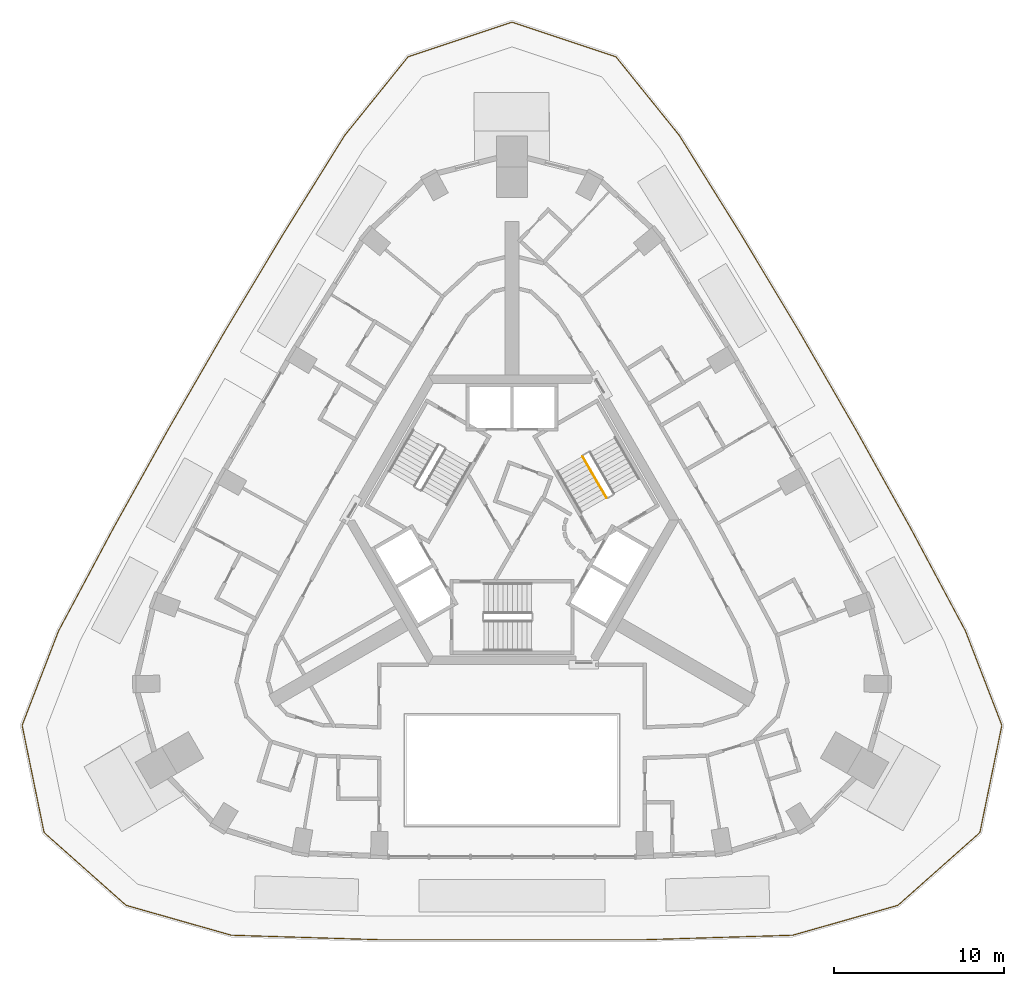
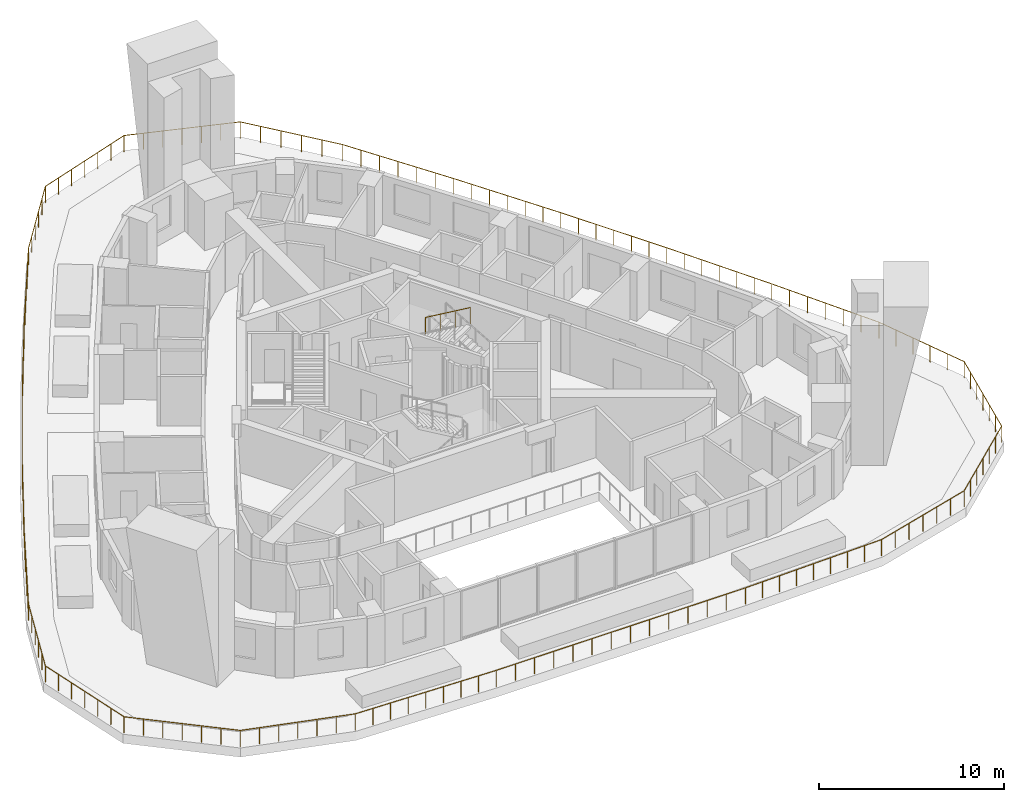
# One storey, part 11 of 12: 2 railings.
"""IFC4 building model written with IfcOpenShell, lengths in metres."""

from ifc_helpers import new_model, si_unit, direction, frame, origin, origin_2d, place, context, subcontext, project, spatial, circle, extrude, material, type_object, element, save


model = new_model("IFC4")

# Units and contexts
model_context = context("Model", 3, precision=1e-05, world=origin(), true_north=direction((0.0, 1.0)))
body_context = subcontext(model_context, "Body", "Model", "MODEL_VIEW")
ifc_project = project(units=[si_unit("LENGTHUNIT", "METRE"), si_unit("AREAUNIT", "SQUARE_METRE"), si_unit("VOLUMEUNIT", "CUBIC_METRE"), si_unit("PLANEANGLEUNIT", "RADIAN"), si_unit("MASSUNIT", "GRAM", prefix="KILO")], contexts=[model_context])

# Site, building, storey
site_placement = place(None, origin())
site = spatial("IfcSite", under=ifc_project, at=site_placement, CompositionType="ELEMENT")
building_placement = place(site_placement, origin())
building = spatial("IfcBuilding", under=site, at=building_placement, Name="Entoto Arch Interchange Tower", CompositionType="ELEMENT")
storey_placement = place(building_placement, frame((0.0, 0.0, 286.39990234375)))
storey = spatial("IfcBuildingStorey", under=building, at=storey_placement, Name="L66", CompositionType="ELEMENT", Elevation=286.39990234375)

# Railings
ifc_material = material(Name="Stainless steel 1.4301", Category="steel")
railing_type_1 = type_object("IfcRailingType", Name="GUARD 1100 STEEL AND GLASS", PredefinedType="GUARDRAIL", material=ifc_material)
railing_1_placement = place(storey_placement, frame((-16.4619140625, -21.8720703125, 0.0)))
element("IfcRailing", 1, at=railing_1_placement, inside=storey, type_object=railing_type_1, Name="Terrace guard L66", PredefinedType="GUARDRAIL", context=body_context, shape_type="SweptSolid", body=[
    extrude(circle(Radius=0.02392578125, at=origin_2d()), frame((0.0, 0.0, 1.076171875), z_axis=(-0.961948753348, 0.273229932352, 0.0), x_axis=(-0.273229932352, -0.961948753348, 0.0)), (0.0, 0.0, 1.0), 6.423583984375),
    extrude(circle(Radius=0.02392578125, at=origin_2d()), frame((-6.17919921875, 1.755126953125, 1.076171875), z_axis=(-0.747926553189, 0.663781493441, 0.0), x_axis=(-0.663781493441, -0.747926553189, 0.0)), (0.0, 0.0, 1.0), 6.429443359375),
    extrude(circle(Radius=0.02392578125, at=origin_2d()), frame((-10.988037109375, 6.02294921875, 1.076171875), z_axis=(-0.200813225881, 0.979629546467, 0.0), x_axis=(-0.979629546467, -0.200813225881, 0.0)), (0.0, 0.0, 1.0), 6.424072265625),
    extrude(circle(Radius=0.02392578125, at=origin_2d()), frame((-12.278076171875, 12.316162109375, 1.076171875), z_axis=(0.360142846946, 0.93289717, 0.0), x_axis=(-0.93289717, 0.360142846946, 0.0)), (0.0, 0.0, 1.0), 5.930908203125),
    extrude(circle(Radius=0.02392578125, at=origin_2d()), frame((-10.14208984375, 17.84912109375, 1.076171875), z_axis=(0.47078435637, 0.88224831527, 0.0), x_axis=(-0.88224831527, 0.47078435637, 0.0)), (0.0, 0.0, 1.0), 6.848388671875),
    extrude(circle(Radius=0.02392578125, at=origin_2d()), frame((-6.91796875, 23.89111328125, 1.076171875), z_axis=(0.48565856825, 0.874148588677, 0.0), x_axis=(-0.874148588677, 0.48565856825, 0.0)), (0.0, 0.0, 1.0), 6.628173828125),
    extrude(circle(Radius=0.02392578125, at=origin_2d()), frame((-3.698974609375, 29.68505859375, 1.076171875), z_axis=(0.499997729706, 0.866026714536, 0.0), x_axis=(-0.866026714536, 0.499997729706, 0.0)), (0.0, 0.0, 1.0), 6.6279296875),
    extrude(circle(Radius=0.02392578125, at=origin_2d()), frame((-0.385009765625, 35.425048828125, 1.076171875), z_axis=(0.51426283835, 0.857632632945, 0.0), x_axis=(-0.857632632945, 0.51426283835, 0.0)), (0.0, 0.0, 1.0), 6.628662109375),
    extrude(circle(Radius=0.02392578125, at=origin_2d()), frame((3.02392578125, 41.110107421875, 1.076171875), z_axis=(0.528735841424, 0.848786433677, 0.0), x_axis=(-0.848786433677, 0.528735841424, 0.0)), (0.0, 0.0, 1.0), 6.8486328125),
    extrude(circle(Radius=0.02392578125, at=origin_2d()), frame((6.64501953125, 46.923095703125, 1.076171875), z_axis=(0.627707393123, 0.778449374474, 0.0), x_axis=(-0.778449374474, 0.627707393123, 0.0)), (0.0, 0.0, 1.0), 5.930908203125),
    extrude(circle(Radius=0.02392578125, at=origin_2d()), frame((10.367919921875, 51.5400390625, 1.076171875), z_axis=(0.948744095, 0.316045316691, 0.0), x_axis=(-0.316045316691, 0.948744095, 0.0)), (0.0, 0.0, 1.0), 6.42333984375),
    extrude(circle(Radius=0.02392578125, at=origin_2d()), frame((16.4619140625, 53.570068359375, 1.076171875), z_axis=(0.948744095, -0.316045316691, 0.0), x_axis=(0.316045316691, 0.948744095, 0.0)), (0.0, 0.0, 1.0), 6.42333984375),
    extrude(circle(Radius=0.02392578125, at=origin_2d()), frame((22.555908203125, 51.5400390625, 1.076171875), z_axis=(0.627707393123, -0.778449374474, 0.0), x_axis=(0.778449374474, 0.627707393123, 0.0)), (0.0, 0.0, 1.0), 5.930908203125),
    extrude(circle(Radius=0.02392578125, at=origin_2d()), frame((26.27880859375, 46.923095703125, 1.076171875), z_axis=(0.528735841424, -0.848786433677, 0.0), x_axis=(0.848786433677, 0.528735841424, 0.0)), (0.0, 0.0, 1.0), 6.8486328125),
    extrude(circle(Radius=0.02392578125, at=origin_2d()), frame((29.89990234375, 41.110107421875, 1.076171875), z_axis=(0.51426283835, -0.857632632945, 0.0), x_axis=(0.857632632945, 0.51426283835, 0.0)), (0.0, 0.0, 1.0), 6.628662109375),
    extrude(circle(Radius=0.02392578125, at=origin_2d()), frame((33.308837890625, 35.425048828125, 1.076171875), z_axis=(0.499997729706, -0.866026714536, 0.0), x_axis=(0.866026714536, 0.499997729706, 0.0)), (0.0, 0.0, 1.0), 6.6279296875),
    extrude(circle(Radius=0.02392578125, at=origin_2d()), frame((36.622802734375, 29.68505859375, 1.076171875), z_axis=(0.48565856825, -0.874148588677, 0.0), x_axis=(0.874148588677, 0.48565856825, 0.0)), (0.0, 0.0, 1.0), 6.628173828125),
    extrude(circle(Radius=0.02392578125, at=origin_2d()), frame((39.841796875, 23.89111328125, 1.076171875), z_axis=(0.47078435637, -0.88224831527, 0.0), x_axis=(0.88224831527, 0.47078435637, 0.0)), (0.0, 0.0, 1.0), 6.848388671875),
    extrude(circle(Radius=0.02392578125, at=origin_2d()), frame((43.06591796875, 17.84912109375, 1.076171875), z_axis=(0.360142846946, -0.93289717, 0.0), x_axis=(0.93289717, 0.360142846946, 0.0)), (0.0, 0.0, 1.0), 5.930908203125),
    extrude(circle(Radius=0.02392578125, at=origin_2d()), frame((45.201904296875, 12.316162109375, 1.076171875), z_axis=(-0.200813225881, -0.979629546467, 0.0), x_axis=(0.979629546467, -0.200813225881, 0.0)), (0.0, 0.0, 1.0), 6.424072265625),
    extrude(circle(Radius=0.02392578125, at=origin_2d()), frame((43.911865234375, 6.02294921875, 1.076171875), z_axis=(-0.747926553189, -0.663781493441, 0.0), x_axis=(0.663781493441, -0.747926553189, 0.0)), (0.0, 0.0, 1.0), 6.429443359375),
    extrude(circle(Radius=0.02392578125, at=origin_2d()), frame((39.10302734375, 1.755126953125, 1.076171875), z_axis=(-0.961948753348, -0.273229932352, 0.0), x_axis=(0.273229932352, -0.961948753348, 0.0)), (0.0, 0.0, 1.0), 6.423583984375),
    extrude(circle(Radius=0.02392578125, at=origin_2d()), frame((32.923828125, 0.0, 1.076171875), z_axis=(-0.999543192514, -0.030222612381, 0.0), x_axis=(0.030222612381, -0.999543192514, 0.0)), (0.0, 0.0, 1.0), 8.667724609375),
    extrude(circle(Radius=0.02392578125, at=origin_2d()), frame((24.260009765625, -0.261962890625, 1.076171875), z_axis=(-1.0, 0.0, 0.0), x_axis=(0.0, -1.0, 0.0)), (0.0, 0.0, 1.0), 15.59619140625),
    extrude(circle(Radius=0.02392578125, at=origin_2d()), frame((8.663818359375, -0.261962890625, 1.076171875), z_axis=(-0.999543192514, 0.030222612381, 0.0), x_axis=(-0.030222612381, -0.999543192514, 0.0)), (0.0, 0.0, 1.0), 8.667724609375),
    extrude(circle(Radius=0.02099609375, at=origin_2d()), origin(), (0.0, 0.0, 1.0), 1.052001953125),
    extrude(circle(Radius=0.02099609375, at=origin_2d()), frame((-1.02978515625, 0.29248046875, 0.0)), (0.0, 0.0, 1.0), 1.052001953125),
    extrude(circle(Radius=0.02099609375, at=origin_2d()), frame((-2.059814453125, 0.5849609375, 0.0)), (0.0, 0.0, 1.0), 1.052001953125),
    extrude(circle(Radius=0.02099609375, at=origin_2d()), frame((-3.089599609375, 0.87744140625, 0.0)), (0.0, 0.0, 1.0), 1.052001953125),
    extrude(circle(Radius=0.02099609375, at=origin_2d()), frame((-4.119384765625, 1.170166015625, 0.0)), (0.0, 0.0, 1.0), 1.052001953125),
    extrude(circle(Radius=0.02099609375, at=origin_2d()), frame((-5.1494140625, 1.462646484375, 0.0)), (0.0, 0.0, 1.0), 1.052001953125),
    extrude(circle(Radius=0.02099609375, at=origin_2d()), frame((-6.17919921875, 1.755126953125, 0.0)), (0.0, 0.0, 1.0), 1.052001953125),
    extrude(circle(Radius=0.02099609375, at=origin_2d()), frame((-6.980712890625, 2.46630859375, 0.0)), (0.0, 0.0, 1.0), 1.052001953125),
    extrude(circle(Radius=0.02099609375, at=origin_2d()), frame((-7.7822265625, 3.177734375, 0.0)), (0.0, 0.0, 1.0), 1.052001953125),
    extrude(circle(Radius=0.02099609375, at=origin_2d()), frame((-8.58349609375, 3.88916015625, 0.0)), (0.0, 0.0, 1.0), 1.052001953125),
    extrude(circle(Radius=0.02099609375, at=origin_2d()), frame((-9.385009765625, 4.600341796875, 0.0)), (0.0, 0.0, 1.0), 1.052001953125),
    extrude(circle(Radius=0.02099609375, at=origin_2d()), frame((-10.1865234375, 5.3115234375, 0.0)), (0.0, 0.0, 1.0), 1.052001953125),
    extrude(circle(Radius=0.02099609375, at=origin_2d()), frame((-10.988037109375, 6.02294921875, 0.0)), (0.0, 0.0, 1.0), 1.052001953125),
    extrude(circle(Radius=0.02099609375, at=origin_2d()), frame((-11.203125, 7.07177734375, 0.0)), (0.0, 0.0, 1.0), 1.052001953125),
    extrude(circle(Radius=0.02099609375, at=origin_2d()), frame((-11.41796875, 8.12060546875, 0.0)), (0.0, 0.0, 1.0), 1.052001953125),
    extrude(circle(Radius=0.02099609375, at=origin_2d()), frame((-11.633056640625, 9.16943359375, 0.0)), (0.0, 0.0, 1.0), 1.052001953125),
    extrude(circle(Radius=0.02099609375, at=origin_2d()), frame((-11.84814453125, 10.218505859375, 0.0)), (0.0, 0.0, 1.0), 1.052001953125),
    extrude(circle(Radius=0.02099609375, at=origin_2d()), frame((-12.06298828125, 11.267333984375, 0.0)), (0.0, 0.0, 1.0), 1.052001953125),
    extrude(circle(Radius=0.02099609375, at=origin_2d()), frame((-12.278076171875, 12.316162109375, 0.0)), (0.0, 0.0, 1.0), 1.052001953125),
    extrude(circle(Radius=0.02099609375, at=origin_2d()), frame((-11.850830078125, 13.4228515625, 0.0)), (0.0, 0.0, 1.0), 1.052001953125),
    extrude(circle(Radius=0.02099609375, at=origin_2d()), frame((-11.423583984375, 14.529296875, 0.0)), (0.0, 0.0, 1.0), 1.052001953125),
    extrude(circle(Radius=0.02099609375, at=origin_2d()), frame((-10.99658203125, 15.635986328125, 0.0)), (0.0, 0.0, 1.0), 1.052001953125),
    extrude(circle(Radius=0.02099609375, at=origin_2d()), frame((-10.5693359375, 16.742431640625, 0.0)), (0.0, 0.0, 1.0), 1.052001953125),
    extrude(circle(Radius=0.02099609375, at=origin_2d()), frame((-10.14208984375, 17.84912109375, 0.0)), (0.0, 0.0, 1.0), 1.052001953125),
    extrude(circle(Radius=0.02099609375, at=origin_2d()), frame((-9.604736328125, 18.856201171875, 0.0)), (0.0, 0.0, 1.0), 1.052001953125),
    extrude(circle(Radius=0.02099609375, at=origin_2d()), frame((-9.0673828125, 19.863037109375, 0.0)), (0.0, 0.0, 1.0), 1.052001953125),
    extrude(circle(Radius=0.02099609375, at=origin_2d()), frame((-8.530029296875, 20.8701171875, 0.0)), (0.0, 0.0, 1.0), 1.052001953125),
    extrude(circle(Radius=0.02099609375, at=origin_2d()), frame((-7.99267578125, 21.877197265625, 0.0)), (0.0, 0.0, 1.0), 1.052001953125),
    extrude(circle(Radius=0.02099609375, at=origin_2d()), frame((-7.455322265625, 22.884033203125, 0.0)), (0.0, 0.0, 1.0), 1.052001953125),
    extrude(circle(Radius=0.02099609375, at=origin_2d()), frame((-6.91796875, 23.89111328125, 0.0)), (0.0, 0.0, 1.0), 1.052001953125),
    extrude(circle(Radius=0.02099609375, at=origin_2d()), frame((-6.38134765625, 24.856689453125, 0.0)), (0.0, 0.0, 1.0), 1.052001953125),
    extrude(circle(Radius=0.02099609375, at=origin_2d()), frame((-5.844970703125, 25.822509765625, 0.0)), (0.0, 0.0, 1.0), 1.052001953125),
    extrude(circle(Radius=0.02099609375, at=origin_2d()), frame((-5.30859375, 26.7880859375, 0.0)), (0.0, 0.0, 1.0), 1.052001953125),
    extrude(circle(Radius=0.02099609375, at=origin_2d()), frame((-4.77197265625, 27.753662109375, 0.0)), (0.0, 0.0, 1.0), 1.052001953125),
    extrude(circle(Radius=0.02099609375, at=origin_2d()), frame((-4.2353515625, 28.719482421875, 0.0)), (0.0, 0.0, 1.0), 1.052001953125),
    extrude(circle(Radius=0.02099609375, at=origin_2d()), frame((-3.698974609375, 29.68505859375, 0.0)), (0.0, 0.0, 1.0), 1.052001953125),
    extrude(circle(Radius=0.02099609375, at=origin_2d()), frame((-3.146728515625, 30.6416015625, 0.0)), (0.0, 0.0, 1.0), 1.052001953125),
    extrude(circle(Radius=0.02099609375, at=origin_2d()), frame((-2.59423828125, 31.598388671875, 0.0)), (0.0, 0.0, 1.0), 1.052001953125),
    extrude(circle(Radius=0.02099609375, at=origin_2d()), frame((-2.0419921875, 32.55517578125, 0.0)), (0.0, 0.0, 1.0), 1.052001953125),
    extrude(circle(Radius=0.02099609375, at=origin_2d()), frame((-1.48974609375, 33.51171875, 0.0)), (0.0, 0.0, 1.0), 1.052001953125),
    extrude(circle(Radius=0.02099609375, at=origin_2d()), frame((-0.937255859375, 34.46826171875, 0.0)), (0.0, 0.0, 1.0), 1.052001953125),
    extrude(circle(Radius=0.02099609375, at=origin_2d()), frame((-0.385009765625, 35.425048828125, 0.0)), (0.0, 0.0, 1.0), 1.052001953125),
    extrude(circle(Radius=0.02099609375, at=origin_2d()), frame((0.18310546875, 36.37255859375, 0.0)), (0.0, 0.0, 1.0), 1.052001953125),
    extrude(circle(Radius=0.02099609375, at=origin_2d()), frame((0.751220703125, 37.320068359375, 0.0)), (0.0, 0.0, 1.0), 1.052001953125),
    extrude(circle(Radius=0.02099609375, at=origin_2d()), frame((1.3193359375, 38.267578125, 0.0)), (0.0, 0.0, 1.0), 1.052001953125),
    extrude(circle(Radius=0.02099609375, at=origin_2d()), frame((1.8876953125, 39.215087890625, 0.0)), (0.0, 0.0, 1.0), 1.052001953125),
    extrude(circle(Radius=0.02099609375, at=origin_2d()), frame((2.455810546875, 40.16259765625, 0.0)), (0.0, 0.0, 1.0), 1.052001953125),
    extrude(circle(Radius=0.02099609375, at=origin_2d()), frame((3.02392578125, 41.110107421875, 0.0)), (0.0, 0.0, 1.0), 1.052001953125),
    extrude(circle(Radius=0.02099609375, at=origin_2d()), frame((3.62744140625, 42.078857421875, 0.0)), (0.0, 0.0, 1.0), 1.052001953125),
    extrude(circle(Radius=0.02099609375, at=origin_2d()), frame((4.23095703125, 43.0478515625, 0.0)), (0.0, 0.0, 1.0), 1.052001953125),
    extrude(circle(Radius=0.02099609375, at=origin_2d()), frame((4.83447265625, 44.0166015625, 0.0)), (0.0, 0.0, 1.0), 1.052001953125),
    extrude(circle(Radius=0.02099609375, at=origin_2d()), frame((5.43798828125, 44.9853515625, 0.0)), (0.0, 0.0, 1.0), 1.052001953125),
    extrude(circle(Radius=0.02099609375, at=origin_2d()), frame((6.04150390625, 45.954345703125, 0.0)), (0.0, 0.0, 1.0), 1.052001953125),
    extrude(circle(Radius=0.02099609375, at=origin_2d()), frame((6.64501953125, 46.923095703125, 0.0)), (0.0, 0.0, 1.0), 1.052001953125),
    extrude(circle(Radius=0.02099609375, at=origin_2d()), frame((7.3896484375, 47.846435546875, 0.0)), (0.0, 0.0, 1.0), 1.052001953125),
    extrude(circle(Radius=0.02099609375, at=origin_2d()), frame((8.13427734375, 48.769775390625, 0.0)), (0.0, 0.0, 1.0), 1.052001953125),
    extrude(circle(Radius=0.02099609375, at=origin_2d()), frame((8.878662109375, 49.693359375, 0.0)), (0.0, 0.0, 1.0), 1.052001953125),
    extrude(circle(Radius=0.02099609375, at=origin_2d()), frame((9.623291015625, 50.61669921875, 0.0)), (0.0, 0.0, 1.0), 1.052001953125),
    extrude(circle(Radius=0.02099609375, at=origin_2d()), frame((10.367919921875, 51.5400390625, 0.0)), (0.0, 0.0, 1.0), 1.052001953125),
    extrude(circle(Radius=0.02099609375, at=origin_2d()), frame((11.383544921875, 51.87841796875, 0.0)), (0.0, 0.0, 1.0), 1.052001953125),
    extrude(circle(Radius=0.02099609375, at=origin_2d()), frame((12.399169921875, 52.216796875, 0.0)), (0.0, 0.0, 1.0), 1.052001953125),
    extrude(circle(Radius=0.02099609375, at=origin_2d()), frame((13.4150390625, 52.55517578125, 0.0)), (0.0, 0.0, 1.0), 1.052001953125),
    extrude(circle(Radius=0.02099609375, at=origin_2d()), frame((14.4306640625, 52.893310546875, 0.0)), (0.0, 0.0, 1.0), 1.052001953125),
    extrude(circle(Radius=0.02099609375, at=origin_2d()), frame((15.4462890625, 53.231689453125, 0.0)), (0.0, 0.0, 1.0), 1.052001953125),
    extrude(circle(Radius=0.02099609375, at=origin_2d()), frame((16.4619140625, 53.570068359375, 0.0)), (0.0, 0.0, 1.0), 1.052001953125),
    extrude(circle(Radius=0.02099609375, at=origin_2d()), frame((17.4775390625, 53.231689453125, 0.0)), (0.0, 0.0, 1.0), 1.052001953125),
    extrude(circle(Radius=0.02099609375, at=origin_2d()), frame((18.4931640625, 52.893310546875, 0.0)), (0.0, 0.0, 1.0), 1.052001953125),
    extrude(circle(Radius=0.02099609375, at=origin_2d()), frame((19.5087890625, 52.55517578125, 0.0)), (0.0, 0.0, 1.0), 1.052001953125),
    extrude(circle(Radius=0.02099609375, at=origin_2d()), frame((20.524658203125, 52.216796875, 0.0)), (0.0, 0.0, 1.0), 1.052001953125),
    extrude(circle(Radius=0.02099609375, at=origin_2d()), frame((21.540283203125, 51.87841796875, 0.0)), (0.0, 0.0, 1.0), 1.052001953125),
    extrude(circle(Radius=0.02099609375, at=origin_2d()), frame((22.555908203125, 51.5400390625, 0.0)), (0.0, 0.0, 1.0), 1.052001953125),
    extrude(circle(Radius=0.02099609375, at=origin_2d()), frame((23.300537109375, 50.61669921875, 0.0)), (0.0, 0.0, 1.0), 1.052001953125),
    extrude(circle(Radius=0.02099609375, at=origin_2d()), frame((24.045166015625, 49.693359375, 0.0)), (0.0, 0.0, 1.0), 1.052001953125),
    extrude(circle(Radius=0.02099609375, at=origin_2d()), frame((24.78955078125, 48.769775390625, 0.0)), (0.0, 0.0, 1.0), 1.052001953125),
    extrude(circle(Radius=0.02099609375, at=origin_2d()), frame((25.5341796875, 47.846435546875, 0.0)), (0.0, 0.0, 1.0), 1.052001953125),
    extrude(circle(Radius=0.02099609375, at=origin_2d()), frame((26.27880859375, 46.923095703125, 0.0)), (0.0, 0.0, 1.0), 1.052001953125),
    extrude(circle(Radius=0.02099609375, at=origin_2d()), frame((26.88232421875, 45.954345703125, 0.0)), (0.0, 0.0, 1.0), 1.052001953125),
    extrude(circle(Radius=0.02099609375, at=origin_2d()), frame((27.48583984375, 44.9853515625, 0.0)), (0.0, 0.0, 1.0), 1.052001953125),
    extrude(circle(Radius=0.02099609375, at=origin_2d()), frame((28.08935546875, 44.0166015625, 0.0)), (0.0, 0.0, 1.0), 1.052001953125),
    extrude(circle(Radius=0.02099609375, at=origin_2d()), frame((28.69287109375, 43.0478515625, 0.0)), (0.0, 0.0, 1.0), 1.052001953125),
    extrude(circle(Radius=0.02099609375, at=origin_2d()), frame((29.29638671875, 42.078857421875, 0.0)), (0.0, 0.0, 1.0), 1.052001953125),
    extrude(circle(Radius=0.02099609375, at=origin_2d()), frame((29.89990234375, 41.110107421875, 0.0)), (0.0, 0.0, 1.0), 1.052001953125),
    extrude(circle(Radius=0.02099609375, at=origin_2d()), frame((30.468017578125, 40.16259765625, 0.0)), (0.0, 0.0, 1.0), 1.052001953125),
    extrude(circle(Radius=0.02099609375, at=origin_2d()), frame((31.0361328125, 39.215087890625, 0.0)), (0.0, 0.0, 1.0), 1.052001953125),
    extrude(circle(Radius=0.02099609375, at=origin_2d()), frame((31.6044921875, 38.267578125, 0.0)), (0.0, 0.0, 1.0), 1.052001953125),
    extrude(circle(Radius=0.02099609375, at=origin_2d()), frame((32.172607421875, 37.320068359375, 0.0)), (0.0, 0.0, 1.0), 1.052001953125),
    extrude(circle(Radius=0.02099609375, at=origin_2d()), frame((32.74072265625, 36.37255859375, 0.0)), (0.0, 0.0, 1.0), 1.052001953125),
    extrude(circle(Radius=0.02099609375, at=origin_2d()), frame((33.308837890625, 35.425048828125, 0.0)), (0.0, 0.0, 1.0), 1.052001953125),
    extrude(circle(Radius=0.02099609375, at=origin_2d()), frame((33.861083984375, 34.46826171875, 0.0)), (0.0, 0.0, 1.0), 1.052001953125),
    extrude(circle(Radius=0.02099609375, at=origin_2d()), frame((34.41357421875, 33.51171875, 0.0)), (0.0, 0.0, 1.0), 1.052001953125),
    extrude(circle(Radius=0.02099609375, at=origin_2d()), frame((34.9658203125, 32.55517578125, 0.0)), (0.0, 0.0, 1.0), 1.052001953125),
    extrude(circle(Radius=0.02099609375, at=origin_2d()), frame((35.51806640625, 31.598388671875, 0.0)), (0.0, 0.0, 1.0), 1.052001953125),
    extrude(circle(Radius=0.02099609375, at=origin_2d()), frame((36.070556640625, 30.6416015625, 0.0)), (0.0, 0.0, 1.0), 1.052001953125),
    extrude(circle(Radius=0.02099609375, at=origin_2d()), frame((36.622802734375, 29.68505859375, 0.0)), (0.0, 0.0, 1.0), 1.052001953125),
    extrude(circle(Radius=0.02099609375, at=origin_2d()), frame((37.1591796875, 28.719482421875, 0.0)), (0.0, 0.0, 1.0), 1.052001953125),
    extrude(circle(Radius=0.02099609375, at=origin_2d()), frame((37.69580078125, 27.753662109375, 0.0)), (0.0, 0.0, 1.0), 1.052001953125),
    extrude(circle(Radius=0.02099609375, at=origin_2d()), frame((38.232421875, 26.7880859375, 0.0)), (0.0, 0.0, 1.0), 1.052001953125),
    extrude(circle(Radius=0.02099609375, at=origin_2d()), frame((38.768798828125, 25.822509765625, 0.0)), (0.0, 0.0, 1.0), 1.052001953125),
    extrude(circle(Radius=0.02099609375, at=origin_2d()), frame((39.30517578125, 24.856689453125, 0.0)), (0.0, 0.0, 1.0), 1.052001953125),
    extrude(circle(Radius=0.02099609375, at=origin_2d()), frame((39.841796875, 23.89111328125, 0.0)), (0.0, 0.0, 1.0), 1.052001953125),
    extrude(circle(Radius=0.02099609375, at=origin_2d()), frame((40.379150390625, 22.884033203125, 0.0)), (0.0, 0.0, 1.0), 1.052001953125),
    extrude(circle(Radius=0.02099609375, at=origin_2d()), frame((40.91650390625, 21.877197265625, 0.0)), (0.0, 0.0, 1.0), 1.052001953125),
    extrude(circle(Radius=0.02099609375, at=origin_2d()), frame((41.453857421875, 20.8701171875, 0.0)), (0.0, 0.0, 1.0), 1.052001953125),
    extrude(circle(Radius=0.02099609375, at=origin_2d()), frame((41.9912109375, 19.863037109375, 0.0)), (0.0, 0.0, 1.0), 1.052001953125),
    extrude(circle(Radius=0.02099609375, at=origin_2d()), frame((42.528564453125, 18.856201171875, 0.0)), (0.0, 0.0, 1.0), 1.052001953125),
    extrude(circle(Radius=0.02099609375, at=origin_2d()), frame((43.06591796875, 17.84912109375, 0.0)), (0.0, 0.0, 1.0), 1.052001953125),
    extrude(circle(Radius=0.02099609375, at=origin_2d()), frame((43.4931640625, 16.742431640625, 0.0)), (0.0, 0.0, 1.0), 1.052001953125),
    extrude(circle(Radius=0.02099609375, at=origin_2d()), frame((43.92041015625, 15.635986328125, 0.0)), (0.0, 0.0, 1.0), 1.052001953125),
    extrude(circle(Radius=0.02099609375, at=origin_2d()), frame((44.347412109375, 14.529296875, 0.0)), (0.0, 0.0, 1.0), 1.052001953125),
    extrude(circle(Radius=0.02099609375, at=origin_2d()), frame((44.774658203125, 13.4228515625, 0.0)), (0.0, 0.0, 1.0), 1.052001953125),
    extrude(circle(Radius=0.02099609375, at=origin_2d()), frame((45.201904296875, 12.316162109375, 0.0)), (0.0, 0.0, 1.0), 1.052001953125),
    extrude(circle(Radius=0.02099609375, at=origin_2d()), frame((44.98681640625, 11.267333984375, 0.0)), (0.0, 0.0, 1.0), 1.052001953125),
    extrude(circle(Radius=0.02099609375, at=origin_2d()), frame((44.77197265625, 10.218505859375, 0.0)), (0.0, 0.0, 1.0), 1.052001953125),
    extrude(circle(Radius=0.02099609375, at=origin_2d()), frame((44.556884765625, 9.16943359375, 0.0)), (0.0, 0.0, 1.0), 1.052001953125),
    extrude(circle(Radius=0.02099609375, at=origin_2d()), frame((44.341796875, 8.12060546875, 0.0)), (0.0, 0.0, 1.0), 1.052001953125),
    extrude(circle(Radius=0.02099609375, at=origin_2d()), frame((44.126953125, 7.07177734375, 0.0)), (0.0, 0.0, 1.0), 1.052001953125),
    extrude(circle(Radius=0.02099609375, at=origin_2d()), frame((43.911865234375, 6.02294921875, 0.0)), (0.0, 0.0, 1.0), 1.052001953125),
    extrude(circle(Radius=0.02099609375, at=origin_2d()), frame((43.1103515625, 5.3115234375, 0.0)), (0.0, 0.0, 1.0), 1.052001953125),
    extrude(circle(Radius=0.02099609375, at=origin_2d()), frame((42.308837890625, 4.600341796875, 0.0)), (0.0, 0.0, 1.0), 1.052001953125),
    extrude(circle(Radius=0.02099609375, at=origin_2d()), frame((41.50732421875, 3.88916015625, 0.0)), (0.0, 0.0, 1.0), 1.052001953125),
    extrude(circle(Radius=0.02099609375, at=origin_2d()), frame((40.7060546875, 3.177734375, 0.0)), (0.0, 0.0, 1.0), 1.052001953125),
    extrude(circle(Radius=0.02099609375, at=origin_2d()), frame((39.904541015625, 2.46630859375, 0.0)), (0.0, 0.0, 1.0), 1.052001953125),
    extrude(circle(Radius=0.02099609375, at=origin_2d()), frame((39.10302734375, 1.755126953125, 0.0)), (0.0, 0.0, 1.0), 1.052001953125),
    extrude(circle(Radius=0.02099609375, at=origin_2d()), frame((38.0732421875, 1.462646484375, 0.0)), (0.0, 0.0, 1.0), 1.052001953125),
    extrude(circle(Radius=0.02099609375, at=origin_2d()), frame((37.043212890625, 1.170166015625, 0.0)), (0.0, 0.0, 1.0), 1.052001953125),
    extrude(circle(Radius=0.02099609375, at=origin_2d()), frame((36.013427734375, 0.87744140625, 0.0)), (0.0, 0.0, 1.0), 1.052001953125),
    extrude(circle(Radius=0.02099609375, at=origin_2d()), frame((34.983642578125, 0.5849609375, 0.0)), (0.0, 0.0, 1.0), 1.052001953125),
    extrude(circle(Radius=0.02099609375, at=origin_2d()), frame((33.95361328125, 0.29248046875, 0.0)), (0.0, 0.0, 1.0), 1.052001953125),
    extrude(circle(Radius=0.02099609375, at=origin_2d()), frame((32.923828125, 0.0, 0.0)), (0.0, 0.0, 1.0), 1.052001953125),
    extrude(circle(Radius=0.02099609375, at=origin_2d()), frame((31.8408203125, -0.03271484375, 0.0)), (0.0, 0.0, 1.0), 1.052001953125),
    extrude(circle(Radius=0.02099609375, at=origin_2d()), frame((30.7578125, -0.0654296875, 0.0)), (0.0, 0.0, 1.0), 1.052001953125),
    extrude(circle(Radius=0.02099609375, at=origin_2d()), frame((29.6748046875, -0.09814453125, 0.0)), (0.0, 0.0, 1.0), 1.052001953125),
    extrude(circle(Radius=0.02099609375, at=origin_2d()), frame((28.591796875, -0.130859375, 0.0)), (0.0, 0.0, 1.0), 1.052001953125),
    extrude(circle(Radius=0.02099609375, at=origin_2d()), frame((27.509033203125, -0.163818359375, 0.0)), (0.0, 0.0, 1.0), 1.052001953125),
    extrude(circle(Radius=0.02099609375, at=origin_2d()), frame((26.426025390625, -0.196533203125, 0.0)), (0.0, 0.0, 1.0), 1.052001953125),
    extrude(circle(Radius=0.02099609375, at=origin_2d()), frame((25.343017578125, -0.229248046875, 0.0)), (0.0, 0.0, 1.0), 1.052001953125),
    extrude(circle(Radius=0.02099609375, at=origin_2d()), frame((24.260009765625, -0.261962890625, 0.0)), (0.0, 0.0, 1.0), 1.052001953125),
    extrude(circle(Radius=0.02099609375, at=origin_2d()), frame((23.060302734375, -0.261962890625, 0.0)), (0.0, 0.0, 1.0), 1.052001953125),
    extrude(circle(Radius=0.02099609375, at=origin_2d()), frame((21.860595703125, -0.261962890625, 0.0)), (0.0, 0.0, 1.0), 1.052001953125),
    extrude(circle(Radius=0.02099609375, at=origin_2d()), frame((20.660888671875, -0.261962890625, 0.0)), (0.0, 0.0, 1.0), 1.052001953125),
    extrude(circle(Radius=0.02099609375, at=origin_2d()), frame((19.461181640625, -0.261962890625, 0.0)), (0.0, 0.0, 1.0), 1.052001953125),
    extrude(circle(Radius=0.02099609375, at=origin_2d()), frame((18.261474609375, -0.261962890625, 0.0)), (0.0, 0.0, 1.0), 1.052001953125),
    extrude(circle(Radius=0.02099609375, at=origin_2d()), frame((17.061767578125, -0.261962890625, 0.0)), (0.0, 0.0, 1.0), 1.052001953125),
    extrude(circle(Radius=0.02099609375, at=origin_2d()), frame((15.862060546875, -0.261962890625, 0.0)), (0.0, 0.0, 1.0), 1.052001953125),
    extrude(circle(Radius=0.02099609375, at=origin_2d()), frame((14.662353515625, -0.261962890625, 0.0)), (0.0, 0.0, 1.0), 1.052001953125),
    extrude(circle(Radius=0.02099609375, at=origin_2d()), frame((13.462646484375, -0.261962890625, 0.0)), (0.0, 0.0, 1.0), 1.052001953125),
    extrude(circle(Radius=0.02099609375, at=origin_2d()), frame((12.262939453125, -0.261962890625, 0.0)), (0.0, 0.0, 1.0), 1.052001953125),
    extrude(circle(Radius=0.02099609375, at=origin_2d()), frame((11.063232421875, -0.261962890625, 0.0)), (0.0, 0.0, 1.0), 1.052001953125),
    extrude(circle(Radius=0.02099609375, at=origin_2d()), frame((9.863525390625, -0.261962890625, 0.0)), (0.0, 0.0, 1.0), 1.052001953125),
    extrude(circle(Radius=0.02099609375, at=origin_2d()), frame((8.663818359375, -0.261962890625, 0.0)), (0.0, 0.0, 1.0), 1.052001953125),
    extrude(circle(Radius=0.02099609375, at=origin_2d()), frame((7.580810546875, -0.229248046875, 0.0)), (0.0, 0.0, 1.0), 1.052001953125),
    extrude(circle(Radius=0.02099609375, at=origin_2d()), frame((6.497802734375, -0.196533203125, 0.0)), (0.0, 0.0, 1.0), 1.052001953125),
    extrude(circle(Radius=0.02099609375, at=origin_2d()), frame((5.414794921875, -0.163818359375, 0.0)), (0.0, 0.0, 1.0), 1.052001953125),
    extrude(circle(Radius=0.02099609375, at=origin_2d()), frame((4.33203125, -0.130859375, 0.0)), (0.0, 0.0, 1.0), 1.052001953125),
    extrude(circle(Radius=0.02099609375, at=origin_2d()), frame((3.2490234375, -0.09814453125, 0.0)), (0.0, 0.0, 1.0), 1.052001953125),
    extrude(circle(Radius=0.02099609375, at=origin_2d()), frame((2.166015625, -0.0654296875, 0.0)), (0.0, 0.0, 1.0), 1.052001953125),
    extrude(circle(Radius=0.02099609375, at=origin_2d()), frame((1.0830078125, -0.03271484375, 0.0)), (0.0, 0.0, 1.0), 1.052001953125),
])
railing_type_2 = type_object("IfcRailingType", Name="STAIR GUARD 1100 STEEL", PredefinedType="GUARDRAIL", material=ifc_material)
railing_2_placement = place(storey_placement, frame((4.144775390625, 6.220947265625, 1.963623046875)))
element("IfcRailing", 2, at=railing_2_placement, inside=storey, type_object=railing_type_2, Name="L66 ST-NE stair guard 3", PredefinedType="GUARDRAIL", context=body_context, shape_type="SweptSolid", body=[
    extrude(circle(Radius=0.02392578125, at=origin_2d()), frame((0.0, 0.0, 1.076171875), z_axis=(0.431721881032, -0.747665513933, 0.504591415616), x_axis=(0.865996816683, 0.500049511043, 0.0)), (0.0, 0.0, 1.0), 3.2431640625),
    extrude(circle(Radius=0.02099609375, at=origin_2d()), origin(), (0.0, 0.0, 1.0), 1.052001953125),
    extrude(circle(Radius=0.02099609375, at=origin_2d()), frame((0.466796875, -0.808349609375, 0.54541015625)), (0.0, 0.0, 1.0), 1.052001953125),
    extrude(circle(Radius=0.02099609375, at=origin_2d()), frame((0.933349609375, -1.616455078125, 1.091064453125)), (0.0, 0.0, 1.0), 1.052001953125),
    extrude(circle(Radius=0.02099609375, at=origin_2d()), frame((1.400146484375, -2.4248046875, 1.636474609375)), (0.0, 0.0, 1.0), 1.052001953125),
])

save(model, "model.ifc")
